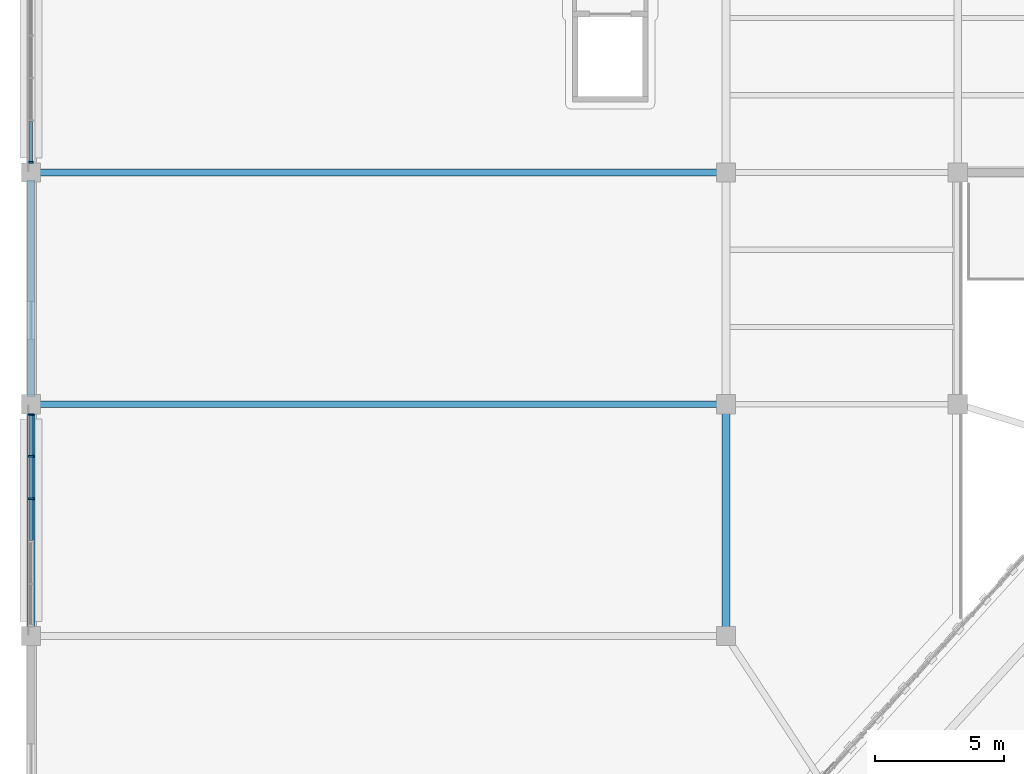
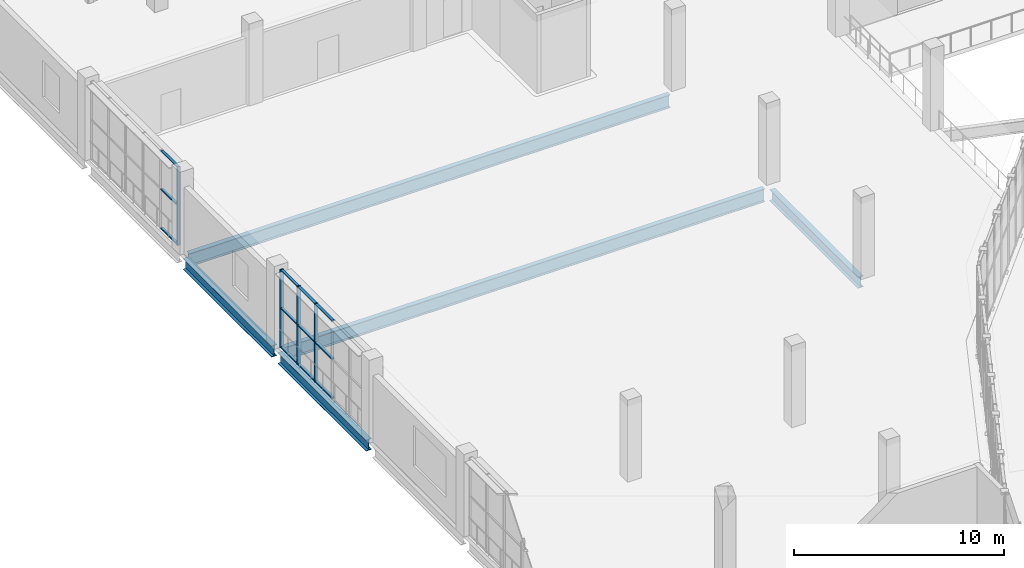
# One storey, part 44 of 152: 16 members, 5 beams, 2 elements without a shape of their own.
"""IFC4 building model written with IfcOpenShell, lengths in metres."""

from ifc_helpers import new_model, si_unit, direction, frame, origin, origin_2d, place, context, subcontext, project, spatial, rectangle, i_section, extrude, material, material_profile, profile_set, type_object, element, aggregate, save


model = new_model("IFC4")

# Units and contexts
model_context = context("Model", 3, precision=1e-05, world=origin(), true_north=direction((0.0, 1.0)))
body_context = subcontext(model_context, "Body", "Model", "MODEL_VIEW")
ifc_project = project(units=[si_unit("LENGTHUNIT", "METRE"), si_unit("AREAUNIT", "SQUARE_METRE"), si_unit("VOLUMEUNIT", "CUBIC_METRE"), si_unit("PLANEANGLEUNIT", "RADIAN"), si_unit("MASSUNIT", "GRAM", prefix="KILO")], contexts=[model_context])

# Site, building, storey
site_placement = place(None, origin())
site = spatial("IfcSite", under=ifc_project, at=site_placement, CompositionType="ELEMENT")
building_placement = place(site_placement, origin())
building = spatial("IfcBuilding", under=site, at=building_placement, Name="Zevraka Park Crest Stadium", CompositionType="ELEMENT")
storey_placement = place(building_placement, frame((0.0, 0.0, 15.0)))
storey = spatial("IfcBuildingStorey", under=building, at=storey_placement, Name="L03", CompositionType="ELEMENT", Elevation=15.0)

# Beams
ifc_material_1 = material(Name="Steel S355", Category="steel")
ifc_material_profile_1 = material_profile(ifc_material_1, i_section(OverallWidth=0.300048828125, OverallDepth=0.64990234375, WebThickness=0.01611328125, FlangeThickness=0.031005859375, at=origin_2d()), Name="HEB 650")
ifc_profile_set_1 = profile_set([ifc_material_profile_1], Name="Steel S355")
beam_type_1 = type_object("IfcBeamType", Name="BG07", PredefinedType="BEAM", material=ifc_profile_set_1)
for number, where, z_axis, x_axis, name in (
    (1, (0.0, 140.300048828125, -0.633056640625), (0.0, 1.0, 0.0), (-1.0, 0.0, 0.0), "Wing Girder BG07 L03-1/RS"),
    (2, (0.0, 149.300048828125, -0.633056640625), (0.0, 1.0, 0.0), (-1.0, 0.0, 0.0), "Wing Girder BG07 L03-1/ST"),
    (3, (27.0, 140.300048828125, -0.633056640625), (0.0, 1.0, 0.0), (-1.0, 0.0, 0.0), "Wing Girder BG07 L03-4/RS"),
):
    element("IfcBeam", number, at=place(storey_placement, frame(where, z_axis=z_axis, x_axis=x_axis)), inside=storey, type_object=beam_type_1, Name=name, PredefinedType="BEAM", context=body_context, shape_type="SweptSolid", body=[
        extrude(i_section(OverallWidth=0.300048828125, OverallDepth=0.64990234375, WebThickness=0.01611328125, FlangeThickness=0.031005859375, at=origin_2d()), origin(), (0.0, 0.0, 1.0), 8.39990234375),
    ])
ifc_material_2 = material(Name="Steel S355", Category="steel")
ifc_material_profile_2 = material_profile(ifc_material_2, i_section(OverallWidth=0.26708984375, OverallDepth=0.761962890625, WebThickness=0.014404296875, FlangeThickness=0.021484375, at=origin_2d()), Name="UKB 762x267x173")
ifc_profile_set_2 = profile_set([ifc_material_profile_2], Name="Steel S355")
beam_type_2 = type_object("IfcBeamType", Name="BG08", PredefinedType="BEAM", material=ifc_profile_set_2)
for number, where, z_axis, x_axis, name in (
    (4, (0.300048828125, 149.0, -0.68896484375), (1.0, 0.0, 0.0), (0.0, 1.0, 0.0), "Wing Girder BG08 L03-14/S"),
    (5, (0.300048828125, 158.0, -0.68896484375), (1.0, 0.0, 0.0), (0.0, 1.0, 0.0), "Wing Girder BG08 L03-14/T"),
):
    element("IfcBeam", number, at=place(storey_placement, frame(where, z_axis=z_axis, x_axis=x_axis)), inside=storey, type_object=beam_type_2, Name=name, PredefinedType="BEAM", context=body_context, shape_type="SweptSolid", body=[
        extrude(i_section(OverallWidth=0.26708984375, OverallDepth=0.761962890625, WebThickness=0.014404296875, FlangeThickness=0.021484375, at=origin_2d()), origin(), (0.0, 0.0, 1.0), 26.39990234375),
    ])

# Curtain wall, member
ifc_material_3 = material(Name="Anodised architectural aluminium and laminated safety glass", Category="aluminium")
curtain_wall_type_1 = type_object("IfcCurtainWallType", Name="CW29", PredefinedType="NOTDEFINED", material=ifc_material_3)
curtain_wall_1_placement = place(storey_placement, origin())
curtain_wall_1 = element("IfcCurtainWall", 6, at=curtain_wall_1_placement, inside=storey, type_object=curtain_wall_type_1, Name="Wing Curtain Wall CW29 L03-NW-W-6", PredefinedType="NOTDEFINED")
ifc_material_4 = material(Name="Anodised architectural aluminium", Category="aluminium")
ifc_material_profile_3 = material_profile(ifc_material_4, rectangle(XDim=0.179931640625, YDim=0.06494140625, at=origin_2d()), Name="ALU MULLION 180x65")
ifc_profile_set_3 = profile_set([ifc_material_profile_3], Name="Anodised architectural aluminium")
member_type_1 = type_object("IfcMemberType", Name="CM02", PredefinedType="MULLION", material=ifc_profile_set_3)
member_1_placement = place(storey_placement, frame((0.0, 158.3974609375, 0.0), z_axis=(0.0, 0.0, 1.0), x_axis=(-1.0, 0.0, 0.0)))
member_1 = element("IfcMember", 7, at=member_1_placement, type_object=member_type_1, Name="CW29 mullion 1", PredefinedType="MULLION", context=body_context, shape_type="SweptSolid", body=[
    extrude(rectangle(XDim=0.179931640625, YDim=0.06494140625, at=origin_2d()), origin(), (0.0, 0.0, 1.0), 4.5400390625),
])

# Curtain wall, members
ifc_material_5 = material(Name="Anodised architectural aluminium and laminated safety glass", Category="aluminium")
curtain_wall_type_2 = type_object("IfcCurtainWallType", Name="CW27", PredefinedType="NOTDEFINED", material=ifc_material_5)
curtain_wall_2_placement = place(storey_placement, origin())
curtain_wall_2 = element("IfcCurtainWall", 8, at=curtain_wall_2_placement, inside=storey, type_object=curtain_wall_type_2, Name="Wing Curtain Wall CW27 L03-NW-W-4", PredefinedType="NOTDEFINED")
ifc_material_6 = material(Name="Anodised architectural aluminium", Category="aluminium")
ifc_material_profile_4 = material_profile(ifc_material_6, rectangle(XDim=0.199951171875, YDim=0.070068359375, at=origin_2d()), Name="ALU MULLION 200x70")
ifc_profile_set_4 = profile_set([ifc_material_profile_4], Name="Anodised architectural aluminium")
member_type_2 = type_object("IfcMemberType", Name="CM03", PredefinedType="MULLION", material=ifc_profile_set_4)
member_2_placement = place(storey_placement, frame((0.0, 145.326904296875, 0.0), z_axis=(0.0, 0.0, 1.0), x_axis=(-1.0, 0.0, 0.0)))
member_2 = element("IfcMember", 9, at=member_2_placement, type_object=member_type_2, Name="CW27 mullion 4", PredefinedType="MULLION", context=body_context, shape_type="SweptSolid", body=[
    extrude(rectangle(XDim=0.199951171875, YDim=0.070068359375, at=origin_2d()), origin(), (0.0, 0.0, 1.0), 4.5400390625),
])
member_3_placement = place(storey_placement, frame((0.0, 146.98095703125, 0.0), z_axis=(0.0, 0.0, 1.0), x_axis=(-1.0, 0.0, 0.0)))
member_3 = element("IfcMember", 10, at=member_3_placement, type_object=member_type_2, Name="CW27 mullion 5", PredefinedType="MULLION", context=body_context, shape_type="SweptSolid", body=[
    extrude(rectangle(XDim=0.199951171875, YDim=0.070068359375, at=origin_2d()), origin(), (0.0, 0.0, 1.0), 4.5400390625),
])
member_4_placement = place(storey_placement, frame((0.0, 148.60009765625, 0.0), z_axis=(0.0, 0.0, 1.0), x_axis=(-1.0, 0.0, 0.0)))
member_4 = element("IfcMember", 11, at=member_4_placement, type_object=member_type_2, Name="CW27 mullion 6", PredefinedType="MULLION", context=body_context, shape_type="SweptSolid", body=[
    extrude(rectangle(XDim=0.199951171875, YDim=0.070068359375, at=origin_2d()), origin(), (0.0, 0.0, 1.0), 4.5400390625),
])

# Member
ifc_material_7 = material(Name="Anodised architectural aluminium", Category="aluminium")
ifc_material_profile_5 = material_profile(ifc_material_7, rectangle(XDim=0.139892578125, YDim=0.06494140625, at=origin_2d()), Name="ALU TRANSOM 140x65")
ifc_profile_set_5 = profile_set([ifc_material_profile_5], Name="Anodised architectural aluminium")
member_type_3 = type_object("IfcMemberType", Name="CT02", PredefinedType="USERDEFINED", material=ifc_profile_set_5)
member_5_placement = place(storey_placement, frame((0.0, 158.429931640625, 0.032470703125), z_axis=(0.0, 1.0, 0.0), x_axis=(-1.0, 0.0, 0.0)))
member_5 = element("IfcMember", 12, at=member_5_placement, type_object=member_type_3, Name="CW29 transom 1.1", ObjectType="TRANSOM", PredefinedType="USERDEFINED", context=body_context, shape_type="SweptSolid", body=[
    extrude(rectangle(XDim=0.139892578125, YDim=0.06494140625, at=origin_2d()), origin(), (0.0, 0.0, 1.0), 1.556640625),
])

member_6_placement = place(storey_placement, frame((0.0, 158.429931640625, 2.300048828125), z_axis=(0.0, 1.0, 0.0), x_axis=(-1.0, 0.0, 0.0)))
member_6 = element("IfcMember", 13, at=member_6_placement, type_object=member_type_3, Name="CW29 transom 1.2", ObjectType="TRANSOM", PredefinedType="USERDEFINED", context=body_context, shape_type="SweptSolid", body=[
    extrude(rectangle(XDim=0.139892578125, YDim=0.06494140625, at=origin_2d()), origin(), (0.0, 0.0, 1.0), 1.556640625),
])

member_7_placement = place(storey_placement, frame((0.0, 158.429931640625, 4.507568359375), z_axis=(0.0, 1.0, 0.0), x_axis=(-1.0, 0.0, 0.0)))
member_7 = element("IfcMember", 14, at=member_7_placement, type_object=member_type_3, Name="CW29 transom 1.3", ObjectType="TRANSOM", PredefinedType="USERDEFINED", context=body_context, shape_type="SweptSolid", body=[
    extrude(rectangle(XDim=0.139892578125, YDim=0.06494140625, at=origin_2d()), origin(), (0.0, 0.0, 1.0), 1.556640625),
])

aggregate(curtain_wall_1, [member_1, member_5, member_6, member_7])

ifc_material_8 = material(Name="Anodised architectural aluminium", Category="aluminium")
ifc_material_profile_6 = material_profile(ifc_material_8, rectangle(XDim=0.14990234375, YDim=0.070068359375, at=origin_2d()), Name="ALU TRANSOM 150x70")
ifc_profile_set_6 = profile_set([ifc_material_profile_6], Name="Anodised architectural aluminium")
member_type_4 = type_object("IfcMemberType", Name="CT03", PredefinedType="USERDEFINED", material=ifc_profile_set_6)
member_8_placement = place(storey_placement, frame((0.0, 143.7080078125, 0.034912109375), z_axis=(0.0, 1.0, 0.0), x_axis=(-1.0, 0.0, 0.0)))
member_8 = element("IfcMember", 15, at=member_8_placement, type_object=member_type_4, Name="CW27 transom 3.1", ObjectType="TRANSOM", PredefinedType="USERDEFINED", context=body_context, shape_type="SweptSolid", body=[
    extrude(rectangle(XDim=0.14990234375, YDim=0.070068359375, at=origin_2d()), origin(), (0.0, 0.0, 1.0), 1.583984375),
])

member_9_placement = place(storey_placement, frame((0.0, 143.7080078125, 2.300048828125), z_axis=(0.0, 1.0, 0.0), x_axis=(-1.0, 0.0, 0.0)))
member_9 = element("IfcMember", 16, at=member_9_placement, type_object=member_type_4, Name="CW27 transom 3.2", ObjectType="TRANSOM", PredefinedType="USERDEFINED", context=body_context, shape_type="SweptSolid", body=[
    extrude(rectangle(XDim=0.14990234375, YDim=0.070068359375, at=origin_2d()), origin(), (0.0, 0.0, 1.0), 1.583984375),
])

member_10_placement = place(storey_placement, frame((0.0, 143.7080078125, 4.5048828125), z_axis=(0.0, 1.0, 0.0), x_axis=(-1.0, 0.0, 0.0)))
member_10 = element("IfcMember", 17, at=member_10_placement, type_object=member_type_4, Name="CW27 transom 3.3", ObjectType="TRANSOM", PredefinedType="USERDEFINED", context=body_context, shape_type="SweptSolid", body=[
    extrude(rectangle(XDim=0.14990234375, YDim=0.070068359375, at=origin_2d()), origin(), (0.0, 0.0, 1.0), 1.583984375),
])

member_11_placement = place(storey_placement, frame((0.0, 145.362060546875, 0.034912109375), z_axis=(0.0, 1.0, 0.0), x_axis=(-1.0, 0.0, 0.0)))
member_11 = element("IfcMember", 18, at=member_11_placement, type_object=member_type_4, Name="CW27 transom 4.1", ObjectType="TRANSOM", PredefinedType="USERDEFINED", context=body_context, shape_type="SweptSolid", body=[
    extrude(rectangle(XDim=0.14990234375, YDim=0.070068359375, at=origin_2d()), origin(), (0.0, 0.0, 1.0), 1.583984375),
])

member_12_placement = place(storey_placement, frame((0.0, 145.362060546875, 2.300048828125), z_axis=(0.0, 1.0, 0.0), x_axis=(-1.0, 0.0, 0.0)))
member_12 = element("IfcMember", 19, at=member_12_placement, type_object=member_type_4, Name="CW27 transom 4.2", ObjectType="TRANSOM", PredefinedType="USERDEFINED", context=body_context, shape_type="SweptSolid", body=[
    extrude(rectangle(XDim=0.14990234375, YDim=0.070068359375, at=origin_2d()), origin(), (0.0, 0.0, 1.0), 1.583984375),
])

member_13_placement = place(storey_placement, frame((0.0, 145.362060546875, 4.5048828125), z_axis=(0.0, 1.0, 0.0), x_axis=(-1.0, 0.0, 0.0)))
member_13 = element("IfcMember", 20, at=member_13_placement, type_object=member_type_4, Name="CW27 transom 4.3", ObjectType="TRANSOM", PredefinedType="USERDEFINED", context=body_context, shape_type="SweptSolid", body=[
    extrude(rectangle(XDim=0.14990234375, YDim=0.070068359375, at=origin_2d()), origin(), (0.0, 0.0, 1.0), 1.583984375),
])

member_14_placement = place(storey_placement, frame((0.0, 147.01611328125, 0.034912109375), z_axis=(0.0, 1.0, 0.0), x_axis=(-1.0, 0.0, 0.0)))
member_14 = element("IfcMember", 21, at=member_14_placement, type_object=member_type_4, Name="CW27 transom 5.1", ObjectType="TRANSOM", PredefinedType="USERDEFINED", context=body_context, shape_type="SweptSolid", body=[
    extrude(rectangle(XDim=0.14990234375, YDim=0.070068359375, at=origin_2d()), origin(), (0.0, 0.0, 1.0), 1.548828125),
])

member_15_placement = place(storey_placement, frame((0.0, 147.01611328125, 2.300048828125), z_axis=(0.0, 1.0, 0.0), x_axis=(-1.0, 0.0, 0.0)))
member_15 = element("IfcMember", 22, at=member_15_placement, type_object=member_type_4, Name="CW27 transom 5.2", ObjectType="TRANSOM", PredefinedType="USERDEFINED", context=body_context, shape_type="SweptSolid", body=[
    extrude(rectangle(XDim=0.14990234375, YDim=0.070068359375, at=origin_2d()), origin(), (0.0, 0.0, 1.0), 1.548828125),
])

member_16_placement = place(storey_placement, frame((0.0, 147.01611328125, 4.5048828125), z_axis=(0.0, 1.0, 0.0), x_axis=(-1.0, 0.0, 0.0)))
member_16 = element("IfcMember", 23, at=member_16_placement, type_object=member_type_4, Name="CW27 transom 5.3", ObjectType="TRANSOM", PredefinedType="USERDEFINED", context=body_context, shape_type="SweptSolid", body=[
    extrude(rectangle(XDim=0.14990234375, YDim=0.070068359375, at=origin_2d()), origin(), (0.0, 0.0, 1.0), 1.548828125),
])

aggregate(curtain_wall_2, [member_2, member_3, member_4, member_8, member_9, member_10, member_11, member_12, member_13, member_14, member_15, member_16])

save(model, "model.ifc")
